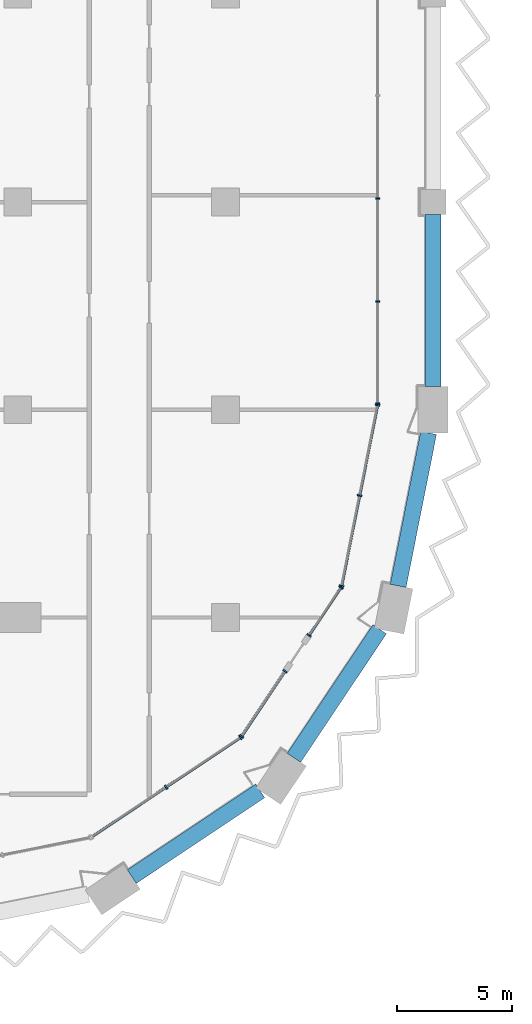
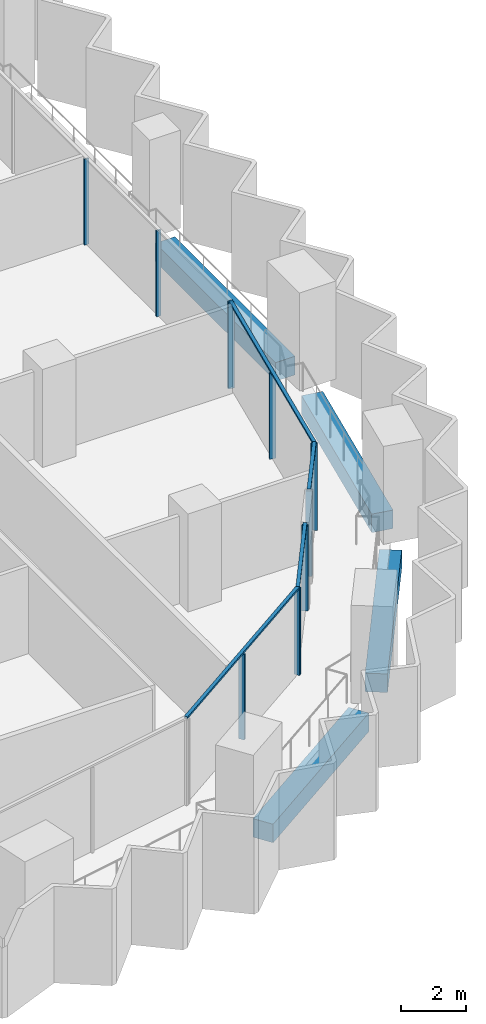
# One storey, part 3 of 23: 16 members, 4 beams, 5 elements without a shape of their own.
"""IFC4 building model written with IfcOpenShell, lengths in metres."""

from ifc_helpers import new_model, si_unit, direction, frame, origin, origin_2d, place, context, subcontext, project, spatial, rectangle, extrude, material, material_profile, profile_set, type_object, element, aggregate, save


model = new_model("IFC4")

# Units and contexts
model_context = context("Model", 3, precision=1e-05, world=origin(), true_north=direction((0.0, 1.0)))
body_context = subcontext(model_context, "Body", "Model", "MODEL_VIEW")
ifc_project = project(units=[si_unit("LENGTHUNIT", "METRE"), si_unit("AREAUNIT", "SQUARE_METRE"), si_unit("VOLUMEUNIT", "CUBIC_METRE"), si_unit("PLANEANGLEUNIT", "RADIAN"), si_unit("MASSUNIT", "GRAM", prefix="KILO")], contexts=[model_context])

# Site, building, storey
site_placement = place(None, origin())
site = spatial("IfcSite", under=ifc_project, at=site_placement, CompositionType="ELEMENT")
building_placement = place(site_placement, origin())
building = spatial("IfcBuilding", under=site, at=building_placement, Name="Hunhe Ridgeline Campus", CompositionType="ELEMENT")
storey_placement = place(building_placement, frame((0.0, 0.0, 148.60009765625)))
storey = spatial("IfcBuildingStorey", under=building, at=storey_placement, Name="L37", CompositionType="ELEMENT", Elevation=148.60009765625)

# Curtain wall, members
ifc_material_1 = material(Name="Aluminium 6063", Category="aluminium")
curtain_wall_type_1 = type_object("IfcCurtainWallType", Name="Curtain wall CW-1", PredefinedType="NOTDEFINED", material=ifc_material_1)
curtain_wall_1_placement = place(storey_placement, origin())
curtain_wall_1 = element("IfcCurtainWall", 1, at=curtain_wall_1_placement, inside=storey, type_object=curtain_wall_type_1, Name="Curtain wall 11", PredefinedType="NOTDEFINED")
ifc_material_profile_1 = material_profile(ifc_material_1, rectangle(XDim=0.159912109375, YDim=0.06005859375, at=origin_2d()))
ifc_profile_set_1 = profile_set([ifc_material_profile_1], Name="Aluminium 6063")
member_type_1 = type_object("IfcMemberType", Name="CW-1 aluminium mullion", PredefinedType="MULLION", material=ifc_profile_set_1)
member_1_placement = place(storey_placement, frame((42.59912109375, 27.266357421875, 0.0), z_axis=(0.0, 0.0, 1.0), x_axis=(-0.99999999999, 4.408911e-06, 0.0)))
member_1 = element("IfcMember", 2, at=member_1_placement, type_object=member_type_1, Name="CW-1 mullion 1", PredefinedType="MULLION", context=body_context, shape_type="SweptSolid", body=[
    extrude(rectangle(XDim=0.159912109375, YDim=0.06005859375, at=origin_2d()), origin(), (0.0, 0.0, 1.0), 3.239990234375),
])
member_2_placement = place(storey_placement, frame((42.59912109375, 31.697021484375, 0.0), z_axis=(0.0, 0.0, 1.0), x_axis=(-0.99999999999, 4.408911e-06, 0.0)))
member_2 = element("IfcMember", 3, at=member_2_placement, type_object=member_type_1, Name="CW-1 mullion 2", PredefinedType="MULLION", context=body_context, shape_type="SweptSolid", body=[
    extrude(rectangle(XDim=0.159912109375, YDim=0.06005859375, at=origin_2d()), origin(), (0.0, 0.0, 1.0), 3.239990234375),
])
member_3_placement = place(storey_placement, frame((42.59912109375, 36.15771484375, 0.0), z_axis=(0.0, 0.0, 1.0), x_axis=(-0.99999999999, 4.408911e-06, 0.0)))
member_3 = element("IfcMember", 4, at=member_3_placement, type_object=member_type_1, Name="CW-1 mullion 3", PredefinedType="MULLION", context=body_context, shape_type="SweptSolid", body=[
    extrude(rectangle(XDim=0.159912109375, YDim=0.06005859375, at=origin_2d()), origin(), (0.0, 0.0, 1.0), 3.239990234375),
])
aggregate(curtain_wall_1, [member_1, member_2, member_3])

curtain_wall_type_2 = type_object("IfcCurtainWallType", Name="Curtain wall CW-5", PredefinedType="NOTDEFINED", material=ifc_material_1)
curtain_wall_2_placement = place(storey_placement, origin())
curtain_wall_2 = element("IfcCurtainWall", 5, at=curtain_wall_2_placement, inside=storey, type_object=curtain_wall_type_2, Name="Curtain wall 07", PredefinedType="NOTDEFINED")
ifc_material_profile_2 = material_profile(ifc_material_1, rectangle(XDim=0.199951171875, YDim=0.070068359375, at=origin_2d()))
ifc_profile_set_2 = profile_set([ifc_material_profile_2], Name="Aluminium 6063")
member_type_2 = type_object("IfcMemberType", Name="CW-5 aluminium mullion", PredefinedType="MULLION", material=ifc_profile_set_2)
member_4_placement = place(storey_placement, frame((33.42626953125, 10.647705078125, 0.0), z_axis=(0.0, 0.0, 1.0), x_axis=(-0.555570274596, 0.831469584522, 0.0)))
member_4 = element("IfcMember", 6, at=member_4_placement, type_object=member_type_2, Name="CW-5 mullion 2", PredefinedType="MULLION", context=body_context, shape_type="SweptSolid", body=[
    extrude(rectangle(XDim=0.199951171875, YDim=0.070068359375, at=origin_2d()), origin(), (0.0, 0.0, 1.0), 3.22998046875),
])
member_5_placement = place(storey_placement, frame((36.649658203125, 12.8017578125, 0.0), z_axis=(0.0, 0.0, 1.0), x_axis=(-0.555570274596, 0.831469584522, 0.0)))
member_5 = element("IfcMember", 7, at=member_5_placement, type_object=member_type_2, Name="CW-5 mullion 3", PredefinedType="MULLION", context=body_context, shape_type="SweptSolid", body=[
    extrude(rectangle(XDim=0.199951171875, YDim=0.070068359375, at=origin_2d()), origin(), (0.0, 0.0, 1.0), 3.22998046875),
])

curtain_wall_3_placement = place(storey_placement, origin())
curtain_wall_3 = element("IfcCurtainWall", 8, at=curtain_wall_3_placement, inside=storey, type_object=curtain_wall_type_2, Name="Curtain wall 08", PredefinedType="NOTDEFINED")
member_6_placement = place(storey_placement, frame((36.6982421875, 12.850341796875, 0.0), z_axis=(0.0, 0.0, 1.0), x_axis=(-0.831469595944, 0.555570257501, 0.0)))
member_6 = element("IfcMember", 9, at=member_6_placement, type_object=member_type_2, Name="CW-5 mullion 1", PredefinedType="MULLION", context=body_context, shape_type="SweptSolid", body=[
    extrude(rectangle(XDim=0.199951171875, YDim=0.070068359375, at=origin_2d()), origin(), (0.0, 0.0, 1.0), 3.22998046875),
])
member_7_placement = place(storey_placement, frame((38.582763671875, 15.67041015625, 0.0), z_axis=(0.0, 0.0, 1.0), x_axis=(-0.831469595944, 0.555570257501, 0.0)))
member_7 = element("IfcMember", 10, at=member_7_placement, type_object=member_type_2, Name="CW-5 mullion 2", PredefinedType="MULLION", context=body_context, shape_type="SweptSolid", body=[
    extrude(rectangle(XDim=0.199951171875, YDim=0.070068359375, at=origin_2d()), origin(), (0.0, 0.0, 1.0), 3.22998046875),
])

curtain_wall_4_placement = place(storey_placement, origin())
curtain_wall_4 = element("IfcCurtainWall", 11, at=curtain_wall_4_placement, inside=storey, type_object=curtain_wall_type_2, Name="Curtain wall 09", PredefinedType="NOTDEFINED")
member_8_placement = place(storey_placement, frame((39.62158203125, 17.225341796875, 0.0), z_axis=(0.0, 0.0, 1.0), x_axis=(-0.831469510353, 0.555570385598, 0.0)))
member_8 = element("IfcMember", 12, at=member_8_placement, type_object=member_type_2, Name="CW-5 mullion 1", PredefinedType="MULLION", context=body_context, shape_type="SweptSolid", body=[
    extrude(rectangle(XDim=0.199951171875, YDim=0.070068359375, at=origin_2d()), origin(), (0.0, 0.0, 1.0), 3.22998046875),
])
member_9_placement = place(storey_placement, frame((41.006103515625, 19.29736328125, 0.0), z_axis=(0.0, 0.0, 1.0), x_axis=(-0.831469510353, 0.555570385598, 0.0)))
member_9 = element("IfcMember", 13, at=member_9_placement, type_object=member_type_2, Name="CW-5 mullion 2", PredefinedType="MULLION", context=body_context, shape_type="SweptSolid", body=[
    extrude(rectangle(XDim=0.199951171875, YDim=0.070068359375, at=origin_2d()), origin(), (0.0, 0.0, 1.0), 3.22998046875),
])

curtain_wall_5_placement = place(storey_placement, origin())
curtain_wall_5 = element("IfcCurtainWall", 14, at=curtain_wall_5_placement, inside=storey, type_object=curtain_wall_type_2, Name="Curtain wall 10", PredefinedType="NOTDEFINED")
member_10_placement = place(storey_placement, frame((41.032470703125, 19.36083984375, 0.0), z_axis=(0.0, 0.0, 1.0), x_axis=(-0.980785284939, 0.195090299215, 0.0)))
member_10 = element("IfcMember", 15, at=member_10_placement, type_object=member_type_2, Name="CW-5 mullion 1", PredefinedType="MULLION", context=body_context, shape_type="SweptSolid", body=[
    extrude(rectangle(XDim=0.199951171875, YDim=0.070068359375, at=origin_2d()), origin(), (0.0, 0.0, 1.0), 3.22998046875),
])
member_11_placement = place(storey_placement, frame((41.812255859375, 23.281494140625, 0.0), z_axis=(0.0, 0.0, 1.0), x_axis=(-0.980785284939, 0.195090299215, 0.0)))
member_11 = element("IfcMember", 16, at=member_11_placement, type_object=member_type_2, Name="CW-5 mullion 2", PredefinedType="MULLION", context=body_context, shape_type="SweptSolid", body=[
    extrude(rectangle(XDim=0.199951171875, YDim=0.070068359375, at=origin_2d()), origin(), (0.0, 0.0, 1.0), 3.22998046875),
])
member_12_placement = place(storey_placement, frame((42.59228515625, 27.2021484375, 0.0), z_axis=(0.0, 0.0, 1.0), x_axis=(-0.980785284939, 0.195090299215, 0.0)))
member_12 = element("IfcMember", 17, at=member_12_placement, type_object=member_type_2, Name="CW-5 mullion 3", PredefinedType="MULLION", context=body_context, shape_type="SweptSolid", body=[
    extrude(rectangle(XDim=0.199951171875, YDim=0.070068359375, at=origin_2d()), origin(), (0.0, 0.0, 1.0), 3.22998046875),
])

# Member
ifc_material_profile_3 = material_profile(ifc_material_1, rectangle(XDim=0.1201171875, YDim=0.070068359375, at=origin_2d()))
ifc_profile_set_3 = profile_set([ifc_material_profile_3], Name="Aluminium 6063")
member_type_3 = type_object("IfcMemberType", Name="CW-5 aluminium transom", PredefinedType="USERDEFINED", material=ifc_profile_set_3)
member_13_placement = place(storey_placement, frame((30.173583984375, 8.474365234375, 3.264892578125), z_axis=(0.831473763475, 0.5555640203, 0.0), x_axis=(-0.5555640203, 0.831473763475, 0.0)))
member_13 = element("IfcMember", 18, at=member_13_placement, type_object=member_type_3, Name="CW-5 transom 1", ObjectType="TRANSOM", PredefinedType="USERDEFINED", context=body_context, shape_type="SweptSolid", body=[
    extrude(rectangle(XDim=0.1201171875, YDim=0.070068359375, at=origin_2d()), origin(), (0.0, 0.0, 1.0), 7.823974609375),
])

aggregate(curtain_wall_2, [member_13, member_4, member_5])

member_14_placement = place(storey_placement, frame((36.678955078125, 12.821044921875, 3.264892578125), z_axis=(0.555546133463, 0.831485714606, 0.0), x_axis=(-0.831485714606, 0.555546133463, 0.0)))
member_14 = element("IfcMember", 19, at=member_14_placement, type_object=member_type_3, Name="CW-5 transom 1", ObjectType="TRANSOM", PredefinedType="USERDEFINED", context=body_context, shape_type="SweptSolid", body=[
    extrude(rectangle(XDim=0.1201171875, YDim=0.070068359375, at=origin_2d()), origin(), (0.0, 0.0, 1.0), 3.462158203125),
])

aggregate(curtain_wall_3, [member_14, member_6, member_7])

member_15_placement = place(storey_placement, frame((39.602294921875, 17.1962890625, 3.264892578125), z_axis=(0.555579547735, 0.831463388334, 0.0), x_axis=(-0.831463388334, 0.555579547735, 0.0)))
member_15 = element("IfcMember", 20, at=member_15_placement, type_object=member_type_3, Name="CW-5 transom 1", ObjectType="TRANSOM", PredefinedType="USERDEFINED", context=body_context, shape_type="SweptSolid", body=[
    extrude(rectangle(XDim=0.1201171875, YDim=0.070068359375, at=origin_2d()), origin(), (0.0, 0.0, 1.0), 2.56201171875),
])

aggregate(curtain_wall_4, [member_15, member_8, member_9])

member_16_placement = place(storey_placement, frame((41.025634765625, 19.326416015625, 3.264892578125), z_axis=(0.195097290093, 0.980783894341, 0.0), x_axis=(-0.980783894341, 0.195097290093, 0.0)))
member_16 = element("IfcMember", 21, at=member_16_placement, type_object=member_type_3, Name="CW-5 transom 1", ObjectType="TRANSOM", PredefinedType="USERDEFINED", context=body_context, shape_type="SweptSolid", body=[
    extrude(rectangle(XDim=0.1201171875, YDim=0.070068359375, at=origin_2d()), origin(), (0.0, 0.0, 1.0), 8.065185546875),
])

aggregate(curtain_wall_5, [member_16, member_10, member_11, member_12])

# Beams
ifc_material_2 = material(Name="Concrete C60", Category="concrete")
ifc_material_profile_4 = material_profile(ifc_material_2, rectangle(XDim=0.699951171875, YDim=0.699951171875, at=origin_2d()))
ifc_profile_set_4 = profile_set([ifc_material_profile_4], Name="Concrete C60")
beam_type = type_object("IfcBeamType", Name="RC spandrel beam 700x700 Concrete C60", PredefinedType="SPANDREL", material=ifc_profile_set_4)
for number, where, z_axis, x_axis, name in (
    (22, (31.94189453125, 6.768310546875, -0.60009765625), (0.831472141711, 0.555566447474, 0.0), (-0.555566447474, 0.831472141711, 0.0), "Spandrel beam B2-6 L37"),
    (23, (38.965576171875, 11.921630859375, -0.60009765625), (0.555566447474, 0.831472141711, 0.0), (-0.831472141711, 0.555566447474, 0.0), "Spandrel beam B2-7 L37"),
):
    element("IfcBeam", number, at=place(storey_placement, frame(where, z_axis=z_axis, x_axis=x_axis)), inside=storey, type_object=beam_type, Name=name, PredefinedType="SPANDREL", context=body_context, shape_type="SweptSolid", body=[
        extrude(rectangle(XDim=0.699951171875, YDim=0.699951171875, at=origin_2d()), origin(), (0.0, 0.0, 1.0), 6.69677734375),
    ])
beam_1_placement = place(storey_placement, frame((43.482421875, 19.370361328125, -0.60009765625), z_axis=(0.195074154586, 0.980788496166, 0.0), x_axis=(-0.980788496166, 0.195074154586, 0.0)))
element("IfcBeam", 24, at=beam_1_placement, inside=storey, type_object=beam_type, Name="Spandrel beam B2-8 L37", PredefinedType="SPANDREL", context=body_context, shape_type="SweptSolid", body=[
    extrude(rectangle(XDim=0.699951171875, YDim=0.699951171875, at=origin_2d()), origin(), (0.0, 0.0, 1.0), 6.759521484375),
])
beam_2_placement = place(storey_placement, frame((45.0, 28.0, -0.60009765625), z_axis=(0.0, 1.0, 0.0), x_axis=(-1.0, 0.0, 0.0)))
element("IfcBeam", 25, at=beam_2_placement, inside=storey, type_object=beam_type, Name="Spandrel beam B2-9 L37", PredefinedType="SPANDREL", context=body_context, shape_type="SweptSolid", body=[
    extrude(rectangle(XDim=0.699951171875, YDim=0.699951171875, at=origin_2d()), origin(), (0.0, 0.0, 1.0), 7.449951171875),
])

save(model, "model.ifc")
